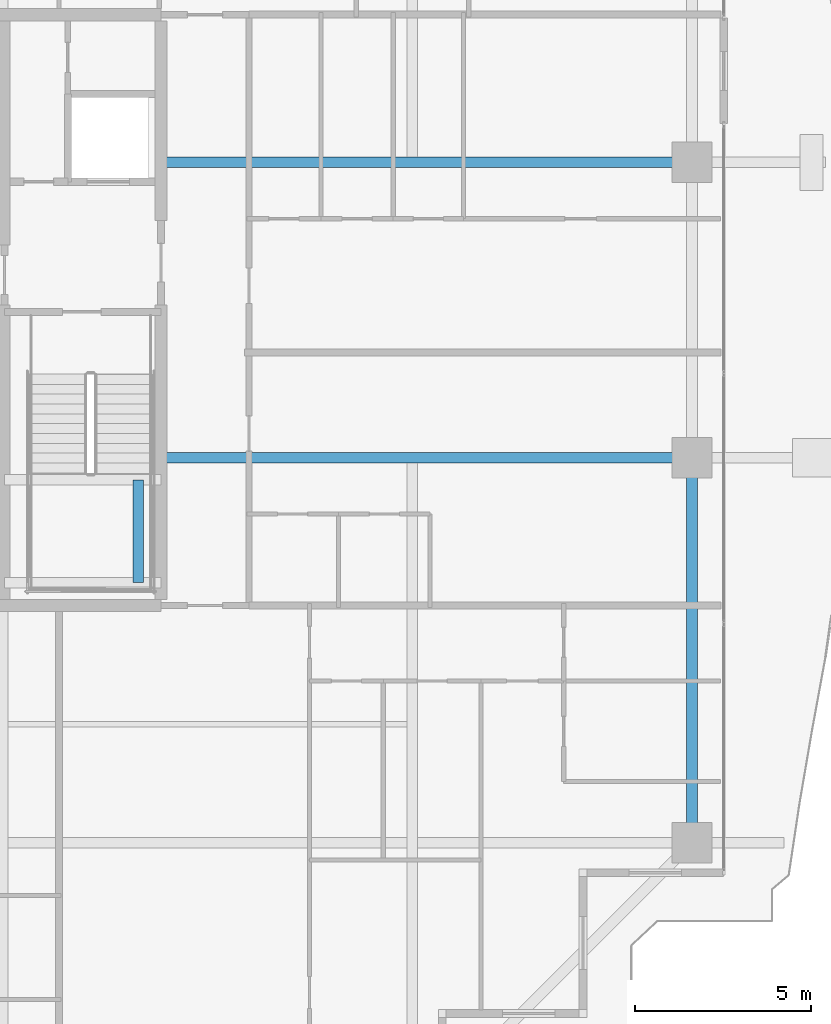
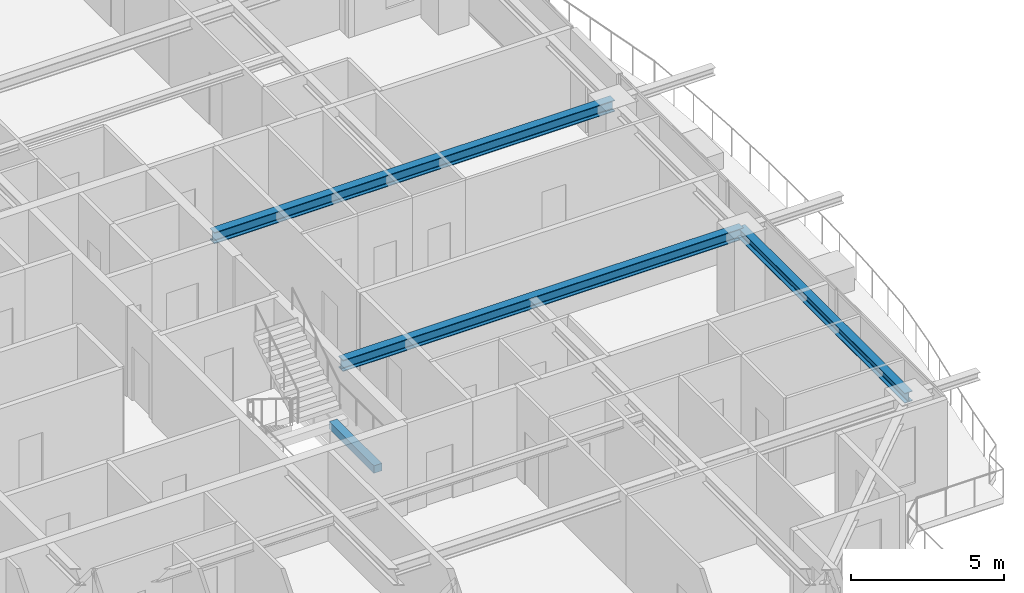
# One storey, part 14 of 38: 4 beams.
"""IFC4 building model written with IfcOpenShell, lengths in metres."""

import ifcopenshell
import ifcopenshell.guid

model = None  # the IFC model being written
_history = None  # IfcOwnerHistory: only IFC2X3 demands one
_inside = {}  # id of a spatial element -> (the spatial element, [elements in it])
_under = {}  # id of a project, library or spatial element -> (it, [spatial elements below it])
_declared = {}  # id of a project -> (the project, [libraries it declares])
_typed = {}  # id of a type object -> (the type object, [elements of that type])
_made_of = {}  # id of a material, layer set ... -> (it, [elements and type objects made of it])


def new_model(schema):
    """Start an empty IFC model of exactly this schema.

    Asked for "IFC4X3", IfcOpenShell would pick the latest addendum, in which some entities
    have other attributes; the version numbers below select the first issue.
    IFC2X3 requires an IfcOwnerHistory on every rooted entity: one is made here for all.
    """
    global model, _history
    if schema == "IFC4X3":
        model = ifcopenshell.file(schema_version=(4, 3, 0, 0))
    else:
        model = ifcopenshell.file(schema=schema)
    _inside.clear()
    _under.clear()
    _declared.clear()
    _typed.clear()
    _made_of.clear()
    _history = None
    if model.schema == "IFC2X3":
        org = make("IfcOrganization", Name="unknown")
        user = make(
            "IfcPersonAndOrganization",
            ThePerson=make("IfcPerson", FamilyName="unknown"),
            TheOrganization=org,
        )
        app = make(
            "IfcApplication",
            ApplicationDeveloper=org,
            Version="unknown",
            ApplicationFullName="unknown",
            ApplicationIdentifier="unknown",
        )
        _history = make(
            "IfcOwnerHistory",
            OwningUser=user,
            OwningApplication=app,
            ChangeAction="ADDED",
            CreationDate=0,
        )
    return model


def make(cls, **values):
    """One entity of the class cls with the attributes given. An attribute that is None is left unset."""
    return model.create_entity(
        cls, **{name: value for name, value in values.items() if value is not None}
    )


def rooted(cls, **values):
    """An entity with a GlobalId (a new one), such as an element, a storey or a relation."""
    return make(cls, GlobalId=ifcopenshell.guid.new(), OwnerHistory=_history, **values)


def si_unit(unit_type, name, prefix=None):
    """IfcSIUnit, for example si_unit("LENGTHUNIT", "METRE", prefix="MILLI")."""
    return make("IfcSIUnit", UnitType=unit_type, Prefix=prefix, Name=name)


def assignment(units):
    """IfcUnitAssignment: the units of a project."""
    return None if units is None else make("IfcUnitAssignment", Units=units)


def point(xyz):
    """IfcCartesianPoint."""
    return None if xyz is None else make("IfcCartesianPoint", Coordinates=xyz)


def direction(xyz):
    """IfcDirection."""
    return None if xyz is None else make("IfcDirection", DirectionRatios=xyz)


def frame(location, z_axis=None, x_axis=None):
    """IfcAxis2Placement3D, a coordinate frame: its origin and axes. An axis left out is left unset."""
    return make(
        "IfcAxis2Placement3D",
        Location=point(location),
        Axis=direction(z_axis),
        RefDirection=direction(x_axis),
    )


def frame_2d(location, x_axis=None):
    """IfcAxis2Placement2D, a coordinate frame in the plane: its origin and x axis."""
    return make(
        "IfcAxis2Placement2D", Location=point(location), RefDirection=direction(x_axis)
    )


def origin():
    """The frame at (0, 0, 0) with its axes left unset."""
    return frame((0.0, 0.0, 0.0))


def origin_2d():
    """The frame at (0, 0) in the plane with its x axis left unset."""
    return frame_2d((0.0, 0.0))


def place(relative_to, where):
    """IfcLocalPlacement: puts the frame where relative to a parent placement (None: the world)."""
    return make(
        "IfcLocalPlacement", PlacementRelTo=relative_to, RelativePlacement=where
    )


def context(
    kind, dimensions, precision=None, world=None, true_north=None, identifier=None
):
    """IfcGeometricRepresentationContext, for example the 3D "Model" context."""
    return make(
        "IfcGeometricRepresentationContext",
        ContextIdentifier=identifier,
        ContextType=kind,
        CoordinateSpaceDimension=dimensions,
        Precision=precision,
        WorldCoordinateSystem=world,
        TrueNorth=true_north,
    )


def subcontext(parent, identifier, kind, view, scale=None):
    """IfcGeometricRepresentationSubContext, for example "Body" below "Model"."""
    return make(
        "IfcGeometricRepresentationSubContext",
        ContextIdentifier=identifier,
        ContextType=kind,
        ParentContext=parent,
        TargetScale=scale,
        TargetView=view,
    )


def project(units=None, contexts=None):
    """IfcProject with its units and contexts."""
    return rooted(
        "IfcProject",
        Name="project",
        RepresentationContexts=contexts,
        UnitsInContext=assignment(units),
    )


def spatial(cls, under=None, at=None, **own):
    """A site, building, storey or space (cls), placed at a placement, below another one or the project."""
    s = rooted(cls, ObjectPlacement=at, **own)
    if under is not None:
        _under.setdefault(under.id(), (under, []))[1].append(s)
    return s


def profile(cls, at=None, kind="AREA", **sizes):
    """A parametric profile (cls). Its sizes go by their IFC names, for example OverallWidth=200.0."""
    return make(cls, ProfileType=kind, Position=at, **sizes)


def rectangle(**sizes):
    """IfcRectangleProfileDef."""
    return profile("IfcRectangleProfileDef", **sizes)


def i_section(**sizes):
    """IfcIShapeProfileDef."""
    return profile("IfcIShapeProfileDef", **sizes)


def extrude(swept, where, along, depth):
    """IfcExtrudedAreaSolid: the profile swept, set in the frame where, extruded along a direction by depth."""
    return make(
        "IfcExtrudedAreaSolid",
        SweptArea=swept,
        Position=where,
        ExtrudedDirection=direction(along),
        Depth=depth,
    )


def shape(context_of_items, identifier, shape_type, items):
    """IfcShapeRepresentation: the items that make up one representation, for example the "Body"."""
    return make(
        "IfcShapeRepresentation",
        ContextOfItems=context_of_items,
        RepresentationIdentifier=identifier,
        RepresentationType=shape_type,
        Items=items,
    )


def source(mapping_origin, context_of_items, identifier, shape_type, items):
    """IfcRepresentationMap: a shape defined once, which mapped items show again and again."""
    return make(
        "IfcRepresentationMap",
        MappingOrigin=mapping_origin,
        MappedRepresentation=shape(context_of_items, identifier, shape_type, items),
    )


def transform(
    local_origin,
    x_axis=None,
    y_axis=None,
    z_axis=None,
    scale=None,
    scale2=None,
    scale3=None,
    uniform=True,
):
    """IfcCartesianTransformationOperator3D, or its non-uniform kind. x_axis, y_axis, z_axis: its Axis1, 2, 3."""
    if uniform:
        return make(
            "IfcCartesianTransformationOperator3D",
            Axis1=direction(x_axis),
            Axis2=direction(y_axis),
            LocalOrigin=point(local_origin),
            Scale=scale,
            Axis3=direction(z_axis),
        )
    return make(
        "IfcCartesianTransformationOperator3DnonUniform",
        Axis1=direction(x_axis),
        Axis2=direction(y_axis),
        LocalOrigin=point(local_origin),
        Scale=scale,
        Axis3=direction(z_axis),
        Scale2=scale2,
        Scale3=scale3,
    )


def mapped(mapping_source, mapping_target):
    """IfcMappedItem: shows the shape of a source again, moved by a transform."""
    return make(
        "IfcMappedItem", MappingSource=mapping_source, MappingTarget=mapping_target
    )


def material(Name=None, Category=None):
    """IfcMaterial."""
    return make("IfcMaterial", Name=Name, Category=Category)


def material_profile(
    of_material, cross_section, Name=None, Category=None, Priority=None
):
    """IfcMaterialProfile: a cross section and its material."""
    return make(
        "IfcMaterialProfile",
        Name=Name,
        Material=of_material,
        Profile=cross_section,
        Priority=Priority,
        Category=Category,
    )


def profile_set(profiles, Name=None, composite=None):
    """IfcMaterialProfileSet."""
    return make(
        "IfcMaterialProfileSet",
        Name=Name,
        MaterialProfiles=profiles,
        CompositeProfile=composite,
    )


def made_of(thing, what):
    """Note that an element or type object is made of a material, layer set ...; save() writes the relation."""
    if what is not None:
        _made_of.setdefault(what.id(), (what, []))[1].append(thing)
    return thing


def type_object(cls, material=None, **own):
    """A type object (cls), such as IfcWallType, which elements share."""
    return made_of(rooted(cls, **own), material)


def element(
    cls,
    number,
    at=None,
    inside=None,
    cuts=None,
    type_object=None,
    material=None,
    context=None,
    identifier="Body",
    shape_type=None,
    held_by="IfcProductDefinitionShape",
    body=None,
    shapes=None,
    **own,
):
    """One element of the class cls, such as IfcWall. Its Tag is "e" and its number.

    at: its placement. inside: the storey or other place that contains it. cuts: it is an
    opening in that element (IfcRelVoidsElement). A single representation is given by context,
    identifier, shape_type and body (its items); several are given by shapes. held_by: the class
    of the entity that holds the representations. save() writes the other relations.
    """
    e = rooted(cls, Tag="e%d" % number, ObjectPlacement=at, **own)
    if body is not None:
        shapes = [shape(context, identifier, shape_type, body)]
    if shapes is not None:
        e.Representation = make(held_by, Representations=shapes)
    if inside is not None:
        _inside.setdefault(inside.id(), (inside, []))[1].append(e)
    if cuts is not None:
        rooted(
            "IfcRelVoidsElement", RelatingBuildingElement=cuts, RelatedOpeningElement=e
        )
    if type_object is not None:
        _typed.setdefault(type_object.id(), (type_object, []))[1].append(e)
    return made_of(e, material)


def aggregate(whole, parts):
    """IfcRelAggregates: a whole, such as a stair, and the parts it consists of."""
    return rooted("IfcRelAggregates", RelatingObject=whole, RelatedObjects=parts)


def save(model, path):
    """Write the relations noted so far, then the file.

    IfcRelAggregates (storeys below a building ...), IfcRelContainedInSpatialStructure (elements
    in a storey), IfcRelDefinesByType, IfcRelAssociatesMaterial and IfcRelDeclares: one each for
    every whole, place, type object, material and project.
    """
    for whole, parts in _under.values():
        aggregate(whole, parts)
    for where, things in _inside.values():
        rooted(
            "IfcRelContainedInSpatialStructure",
            RelatedElements=things,
            RelatingStructure=where,
        )
    for kind, things in _typed.values():
        rooted("IfcRelDefinesByType", RelatedObjects=things, RelatingType=kind)
    for what, things in _made_of.values():
        rooted("IfcRelAssociatesMaterial", RelatedObjects=things, RelatingMaterial=what)
    for by, libraries in _declared.values():
        rooted("IfcRelDeclares", RelatingContext=by, RelatedDefinitions=libraries)
    model.write(path)


model = new_model("IFC4")

# Units and contexts
model_context = context("Model", 3, precision=1e-05, world=origin(), true_north=direction((0.0, 1.0)))
body_context = subcontext(model_context, "Body", "Model", "MODEL_VIEW")
ifc_project = project(units=[si_unit("LENGTHUNIT", "METRE"), si_unit("AREAUNIT", "SQUARE_METRE"), si_unit("VOLUMEUNIT", "CUBIC_METRE"), si_unit("PLANEANGLEUNIT", "RADIAN"), si_unit("MASSUNIT", "GRAM", prefix="KILO")], contexts=[model_context])

# Site, building, storey
site_placement = place(None, origin())
site = spatial("IfcSite", under=ifc_project, at=site_placement, CompositionType="ELEMENT")
building_placement = place(site_placement, origin())
building = spatial("IfcBuilding", under=site, at=building_placement, Name="Serunith Strait Residences", CompositionType="ELEMENT")
storey_placement = place(building_placement, frame((0.0, 0.0, 229.699951171875)))
storey = spatial("IfcBuildingStorey", under=building, at=storey_placement, Name="L57", CompositionType="ELEMENT", Elevation=229.699951171875)

# Beams
ifc_material_1 = material(Name="Steel S355J2", Category="steel")
ifc_material_profile_1 = material_profile(ifc_material_1, i_section(OverallWidth=0.300048828125, OverallDepth=0.449951171875, WebThickness=0.013916015625, FlangeThickness=0.02587890625, FilletRadius=0.027099609375, at=origin_2d()), Name="HEB 450")
ifc_profile_set_1 = profile_set([ifc_material_profile_1], Name="Steel S355J2")
beam_type_1 = type_object("IfcBeamType", Name="BM-HEB450", PredefinedType="BEAM", material=ifc_profile_set_1)
shared_shape_1 = source(origin(), body_context, "Body", "SweptSolid", [
    extrude(i_section(OverallWidth=0.300048828125, OverallDepth=0.449951171875, WebThickness=0.013916015625, FlangeThickness=0.02587890625, FilletRadius=0.027099609375, at=origin_2d()), origin(), (0.0, 0.0, 1.0), 15.10009765625),
])
for number, where, z_axis, x_axis, name in (
    (1, (41.39990234375, 21.0, 3.362060546875), (1.0, 0.0, 0.0), (0.0, 1.0, 0.0), "L57 Primary Floor Girder TC-E2"),
    (2, (41.39990234375, 29.39990234375, 3.362060546875), (1.0, 0.0, 0.0), (0.0, 1.0, 0.0), "L57 Primary Floor Girder TC-E3"),
):
    element("IfcBeam", number, at=place(storey_placement, frame(where, z_axis=z_axis, x_axis=x_axis)), inside=storey, type_object=beam_type_1, Name=name, PredefinedType="BEAM", context=body_context, shape_type="MappedRepresentation", body=[
        mapped(shared_shape_1, transform((0.0, 0.0, 0.0), scale=1.0)),
    ])
ifc_material_profile_2 = material_profile(ifc_material_1, i_section(OverallWidth=0.300048828125, OverallDepth=0.39990234375, WebThickness=0.013427734375, FlangeThickness=0.02392578125, FilletRadius=0.027099609375, at=origin_2d()), Name="HEB 400")
ifc_profile_set_2 = profile_set([ifc_material_profile_2], Name="Steel S355J2")
beam_type_2 = type_object("IfcBeamType", Name="BM-HEB400", PredefinedType="BEAM", material=ifc_profile_set_2)
shared_shape_2 = source(origin(), body_context, "Body", "SweptSolid", [
    extrude(i_section(OverallWidth=0.300048828125, OverallDepth=0.39990234375, WebThickness=0.013427734375, FlangeThickness=0.02392578125, FilletRadius=0.027099609375, at=origin_2d()), origin(), (0.0, 0.0, 1.0), 10.949951171875),
])
beam_1_placement = place(storey_placement, frame((56.5, 10.050048828125, 3.386962890625), z_axis=(0.0, 1.0, 0.0), x_axis=(-1.0, 0.0, 0.0)))
element("IfcBeam", 3, at=beam_1_placement, inside=storey, type_object=beam_type_2, Name="L57 Perimeter Ring Beam 05", PredefinedType="BEAM", context=body_context, shape_type="MappedRepresentation", body=[
    mapped(shared_shape_2, transform((0.0, 0.0, 0.0), scale=1.0)),
])
ifc_material_2 = material(Name="Concrete C60/75", Category="concrete")
ifc_material_profile_3 = material_profile(ifc_material_2, rectangle(XDim=0.300048828125, YDim=0.300048828125, at=origin_2d()), Name="RC 300x300")
ifc_profile_set_3 = profile_set([ifc_material_profile_3], Name="Concrete C60/75")
beam_type_3 = type_object("IfcBeamType", Name="BM-LAND-300x300", PredefinedType="BEAM", material=ifc_profile_set_3)
shared_shape_3 = source(origin(), body_context, "Body", "SweptSolid", [
    extrude(rectangle(XDim=0.300048828125, YDim=0.300048828125, at=origin_2d()), origin(), (0.0, 0.0, 1.0), 2.920166015625),
])
beam_2_placement = place(storey_placement, frame((40.75, 17.449951171875, 1.574951171875), z_axis=(0.0, 1.0, 0.0), x_axis=(-1.0, 0.0, 0.0)))
element("IfcBeam", 4, at=beam_2_placement, inside=storey, type_object=beam_type_3, Name="L57 ST-2 Landing Transverse Tie Beam", PredefinedType="BEAM", context=body_context, shape_type="MappedRepresentation", body=[
    mapped(shared_shape_3, transform((0.0, 0.0, 0.0), scale=1.0)),
])

save(model, "model.ifc")
